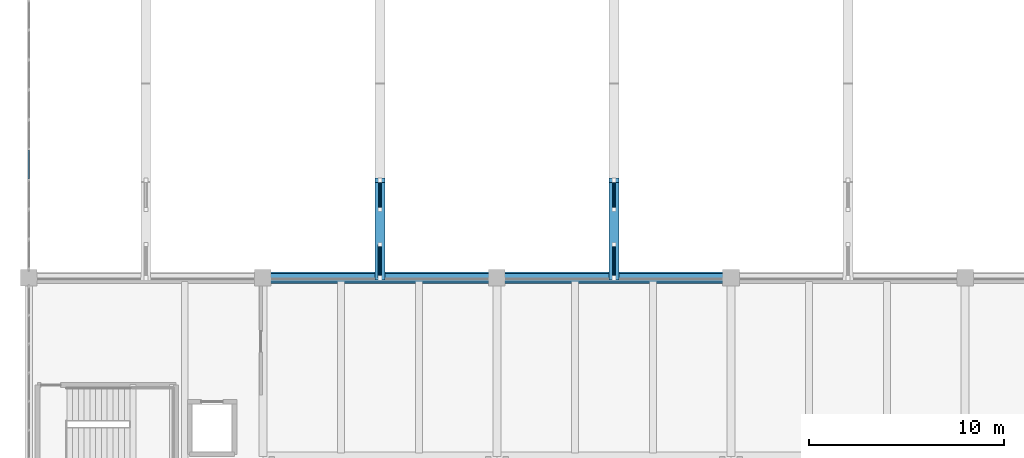
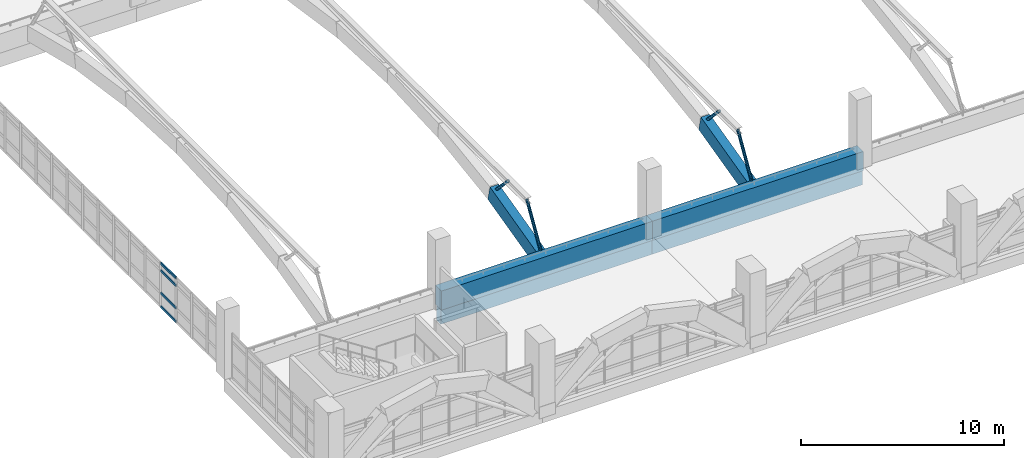
# One storey, part 14 of 161: 8 members, 6 beams, 1 element without a shape of its own.
"""IFC4 building model written with IfcOpenShell, lengths in metres."""

from ifc_helpers import new_model, si_unit, direction, frame, origin, origin_2d, place, context, subcontext, project, spatial, rectangle, hollow_rectangle, hollow_circle, extrude, material, layer, layer_set, material_profile, profile_set, type_object, element, aggregate, save


model = new_model("IFC4")

# Units and contexts
model_context = context("Model", 3, precision=1e-05, world=origin(), true_north=direction((0.0, 1.0)))
body_context = subcontext(model_context, "Body", "Model", "MODEL_VIEW")
ifc_project = project(units=[si_unit("LENGTHUNIT", "METRE"), si_unit("AREAUNIT", "SQUARE_METRE"), si_unit("VOLUMEUNIT", "CUBIC_METRE"), si_unit("PLANEANGLEUNIT", "RADIAN"), si_unit("MASSUNIT", "GRAM", prefix="KILO")], contexts=[model_context])

# Site, building, storey
site_placement = place(None, origin())
site = spatial("IfcSite", under=ifc_project, at=site_placement, CompositionType="ELEMENT")
building_placement = place(site_placement, origin())
building = spatial("IfcBuilding", under=site, at=building_placement, Name="Mersad Railyard Sports Hall", CompositionType="ELEMENT")
storey_placement = place(building_placement, frame((0.0, 0.0, 4.800048828125)))
storey = spatial("IfcBuildingStorey", under=building, at=storey_placement, Name="L01", CompositionType="ELEMENT", Elevation=4.800048828125)

# Curtain wall, members
ifc_material_1 = material(Name="Aluminium 6063-T6", Category="aluminium")
ifc_layer = layer(ifc_material_1, 0.199951171875)
ifc_layer_set = layer_set([ifc_layer], Name="Aluminium 6063-T6")
curtain_wall_type = type_object("IfcCurtainWallType", Name="ARC-CW-CW04", PredefinedType="USERDEFINED", material=ifc_layer_set)
curtain_wall_placement = place(storey_placement, origin())
curtain_wall = element("IfcCurtainWall", 1, at=curtain_wall_placement, inside=storey, type_object=curtain_wall_type, Name="Curtain wall CW04-0024", ObjectType="CURTAIN WALL", PredefinedType="USERDEFINED")
ifc_material_profile_1 = material_profile(ifc_material_1, hollow_rectangle(XDim=0.06494140625, YDim=0.14990234375, WallThickness=0.00439453125, at=origin_2d()), Name="AL TRANSOM 65x150x4.5")
ifc_profile_set_1 = profile_set([ifc_material_profile_1], Name="Aluminium 6063-T6")
member_type_1 = type_object("IfcMemberType", Name="ARC-CW-TRN02", PredefinedType="USERDEFINED", material=ifc_profile_set_1)
member_1_placement = place(storey_placement, frame((7.0, 18.561279296875, 0.0400390625), z_axis=(0.0, 1.0, 0.0), x_axis=(-1.0, 0.0, 0.0)))
member_1 = element("IfcMember", 2, at=member_1_placement, type_object=member_type_1, Name="CW04 Transom 1-4", ObjectType="TRANSOM", PredefinedType="USERDEFINED", context=body_context, shape_type="SweptSolid", body=[
    extrude(hollow_rectangle(XDim=0.06494140625, YDim=0.14990234375, WallThickness=0.00439453125, at=origin_2d()), origin(), (0.0, 0.0, 1.0), 1.4921875),
])
member_2_placement = place(storey_placement, frame((7.0, 18.561279296875, 0.849853515625), z_axis=(0.0, 1.0, 0.0), x_axis=(-1.0, 0.0, 0.0)))
member_2 = element("IfcMember", 3, at=member_2_placement, type_object=member_type_1, Name="CW04 Transom 2-4", ObjectType="TRANSOM", PredefinedType="USERDEFINED", context=body_context, shape_type="SweptSolid", body=[
    extrude(hollow_rectangle(XDim=0.06494140625, YDim=0.14990234375, WallThickness=0.00439453125, at=origin_2d()), origin(), (0.0, 0.0, 1.0), 1.4921875),
])
member_3_placement = place(storey_placement, frame((7.0, 18.561279296875, 2.199951171875), z_axis=(0.0, 1.0, 0.0), x_axis=(-1.0, 0.0, 0.0)))
member_3 = element("IfcMember", 4, at=member_3_placement, type_object=member_type_1, Name="CW04 Transom 3-4", ObjectType="TRANSOM", PredefinedType="USERDEFINED", context=body_context, shape_type="SweptSolid", body=[
    extrude(hollow_rectangle(XDim=0.06494140625, YDim=0.14990234375, WallThickness=0.00439453125, at=origin_2d()), origin(), (0.0, 0.0, 1.0), 1.4921875),
])
member_4_placement = place(storey_placement, frame((7.0, 18.561279296875, 2.639892578125), z_axis=(0.0, 1.0, 0.0), x_axis=(-1.0, 0.0, 0.0)))
member_4 = element("IfcMember", 5, at=member_4_placement, type_object=member_type_1, Name="CW04 Transom 4-4", ObjectType="TRANSOM", PredefinedType="USERDEFINED", context=body_context, shape_type="SweptSolid", body=[
    extrude(hollow_rectangle(XDim=0.06494140625, YDim=0.14990234375, WallThickness=0.00439453125, at=origin_2d()), origin(), (0.0, 0.0, 1.0), 1.4921875),
])
aggregate(curtain_wall, [member_1, member_2, member_3, member_4])

# Beams
ifc_material_2 = material(Name="Concrete C40/50", Category="concrete")
ifc_material_profile_2 = material_profile(ifc_material_2, rectangle(XDim=0.449951171875, YDim=0.85009765625, at=origin_2d()), Name="RC 450x850")
ifc_profile_set_2 = profile_set([ifc_material_profile_2], Name="Concrete C40/50")
beam_type_1 = type_object("IfcBeamType", Name="STR-BM-B02", PredefinedType="BEAM", material=ifc_profile_set_2)
for number, where, z_axis, x_axis, name in (
    (6, (19.0, 13.5, -0.705078125), (1.0, 0.0, 0.0), (0.0, 1.0, 0.0), "Beam B02-0289"),
    (7, (31.0, 13.5, -0.705078125), (1.0, 0.0, 0.0), (0.0, 1.0, 0.0), "Beam B02-0290"),
):
    element("IfcBeam", number, at=place(storey_placement, frame(where, z_axis=z_axis, x_axis=x_axis)), inside=storey, type_object=beam_type_1, Name=name, PredefinedType="BEAM", context=body_context, shape_type="SweptSolid", body=[
        extrude(rectangle(XDim=0.449951171875, YDim=0.85009765625, at=origin_2d()), origin(), (0.0, 0.0, 1.0), 12.0),
    ])
ifc_material_3 = material(Name="Concrete C50/60", Category="concrete")
ifc_material_profile_3 = material_profile(ifc_material_3, rectangle(XDim=0.60009765625, YDim=1.14990234375, at=origin_2d()), Name="RC 600x1150")
ifc_profile_set_3 = profile_set([ifc_material_profile_3], Name="Concrete C50/60")
beam_type_2 = type_object("IfcBeamType", Name="STR-BM-B05", PredefinedType="BEAM", material=ifc_profile_set_3)
for number, where, z_axis, x_axis, name in (
    (8, (19.0, 13.5, 0.33984375), (1.0, 0.0, 0.0), (0.0, 1.0, 0.0), "Beam B05-0512"),
    (9, (31.0, 13.5, 0.33984375), (1.0, 0.0, 0.0), (0.0, 1.0, 0.0), "Beam B05-0520"),
):
    element("IfcBeam", number, at=place(storey_placement, frame(where, z_axis=z_axis, x_axis=x_axis)), inside=storey, type_object=beam_type_2, Name=name, PredefinedType="BEAM", context=body_context, shape_type="SweptSolid", body=[
        extrude(rectangle(XDim=0.60009765625, YDim=1.14990234375, at=origin_2d()), origin(), (0.0, 0.0, 1.0), 12.0),
    ])
ifc_material_4 = material(Name="Architectural concrete C50/60", Category="concrete")
ifc_material_profile_4 = material_profile(ifc_material_4, rectangle(XDim=0.5, YDim=0.89990234375, at=origin_2d()), Name="VR 500x900")
ifc_profile_set_4 = profile_set([ifc_material_profile_4], Name="Architectural concrete C50/60")
beam_type_3 = type_object("IfcBeamType", Name="STR-BM-VR02", PredefinedType="BEAM", material=ifc_profile_set_4)
for number, where, z_axis, x_axis, name in (
    (10, (25.0, 13.5, 0.339599609375), (0.0, 0.970609045837, 0.240661754627), (-1.0, 0.0, 0.0), "Beam VR02-0514"),
    (11, (37.0, 13.5, 0.339599609375), (0.0, 0.970609045837, 0.240661754627), (-1.0, 0.0, 0.0), "Beam VR02-0522"),
):
    element("IfcBeam", number, at=place(storey_placement, frame(where, z_axis=z_axis, x_axis=x_axis)), inside=storey, type_object=beam_type_3, Name=name, PredefinedType="BEAM", context=body_context, shape_type="SweptSolid", body=[
        extrude(rectangle(XDim=0.5, YDim=0.89990234375, at=origin_2d()), origin(), (0.0, 0.0, 1.0), 5.1513671875),
    ])

# Members
ifc_material_5 = material(Name="Steel S355", Category="steel")
ifc_material_profile_5 = material_profile(ifc_material_5, hollow_circle(Radius=0.084228515625, WallThickness=0.008056640625, at=origin_2d()), Name="CHS 168.3x8")
ifc_profile_set_5 = profile_set([ifc_material_profile_5], Name="Steel S355")
member_type_2 = type_object("IfcMemberType", Name="STR-MEM-BR03", PredefinedType="BRACE", material=ifc_profile_set_5)
member_5_placement = place(storey_placement, frame((25.0, 13.5, 0.339599609375), z_axis=(0.0, 0.517575030521, 0.855637825123), x_axis=(-1.0, 0.0, 0.0)))
element("IfcMember", 12, at=member_5_placement, inside=storey, type_object=member_type_2, Name="Structural member BR03-0065", PredefinedType="BRACE", context=body_context, shape_type="SweptSolid", body=[
    extrude(hollow_circle(Radius=0.084228515625, WallThickness=0.008056640625, at=origin_2d()), origin(), (0.0, 0.0, 1.0), 3.284423828125),
])
member_6_placement = place(storey_placement, frame((25.0, 18.5, 1.579345703125), z_axis=(0.0, -0.690676243766, 0.723164107446), x_axis=(1.0, 0.0, 0.0)))
element("IfcMember", 13, at=member_6_placement, inside=storey, type_object=member_type_2, Name="Structural member BR03-0066", PredefinedType="BRACE", context=body_context, shape_type="SweptSolid", body=[
    extrude(hollow_circle(Radius=0.084228515625, WallThickness=0.008056640625, at=origin_2d()), origin(), (0.0, 0.0, 1.0), 2.171875),
])
member_7_placement = place(storey_placement, frame((37.0, 13.5, 0.339599609375), z_axis=(0.0, 0.517575030521, 0.855637825123), x_axis=(-1.0, 0.0, 0.0)))
element("IfcMember", 14, at=member_7_placement, inside=storey, type_object=member_type_2, Name="Structural member BR03-0070", PredefinedType="BRACE", context=body_context, shape_type="SweptSolid", body=[
    extrude(hollow_circle(Radius=0.084228515625, WallThickness=0.008056640625, at=origin_2d()), origin(), (0.0, 0.0, 1.0), 3.284423828125),
])
member_8_placement = place(storey_placement, frame((37.0, 18.5, 1.579345703125), z_axis=(0.0, -0.690676243766, 0.723164107446), x_axis=(1.0, 0.0, 0.0)))
element("IfcMember", 15, at=member_8_placement, inside=storey, type_object=member_type_2, Name="Structural member BR03-0071", PredefinedType="BRACE", context=body_context, shape_type="SweptSolid", body=[
    extrude(hollow_circle(Radius=0.084228515625, WallThickness=0.008056640625, at=origin_2d()), origin(), (0.0, 0.0, 1.0), 2.171875),
])

save(model, "model.ifc")
